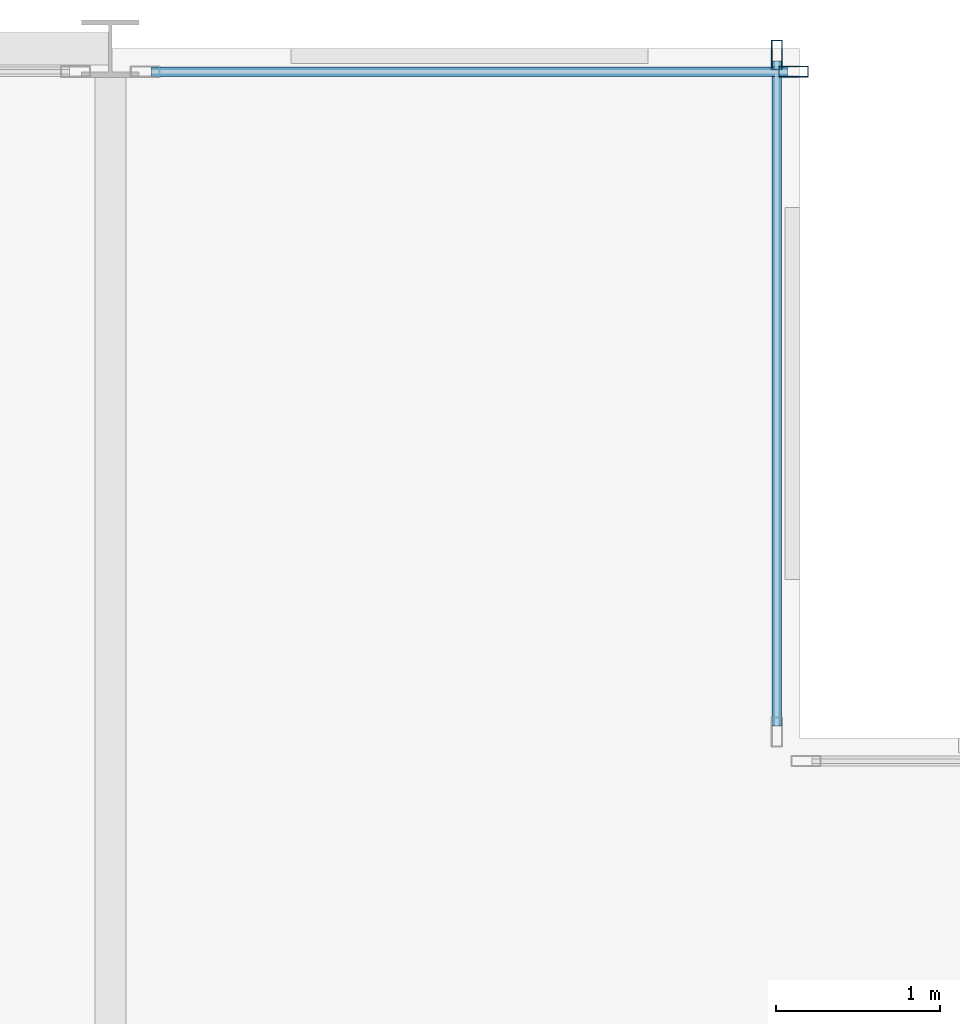
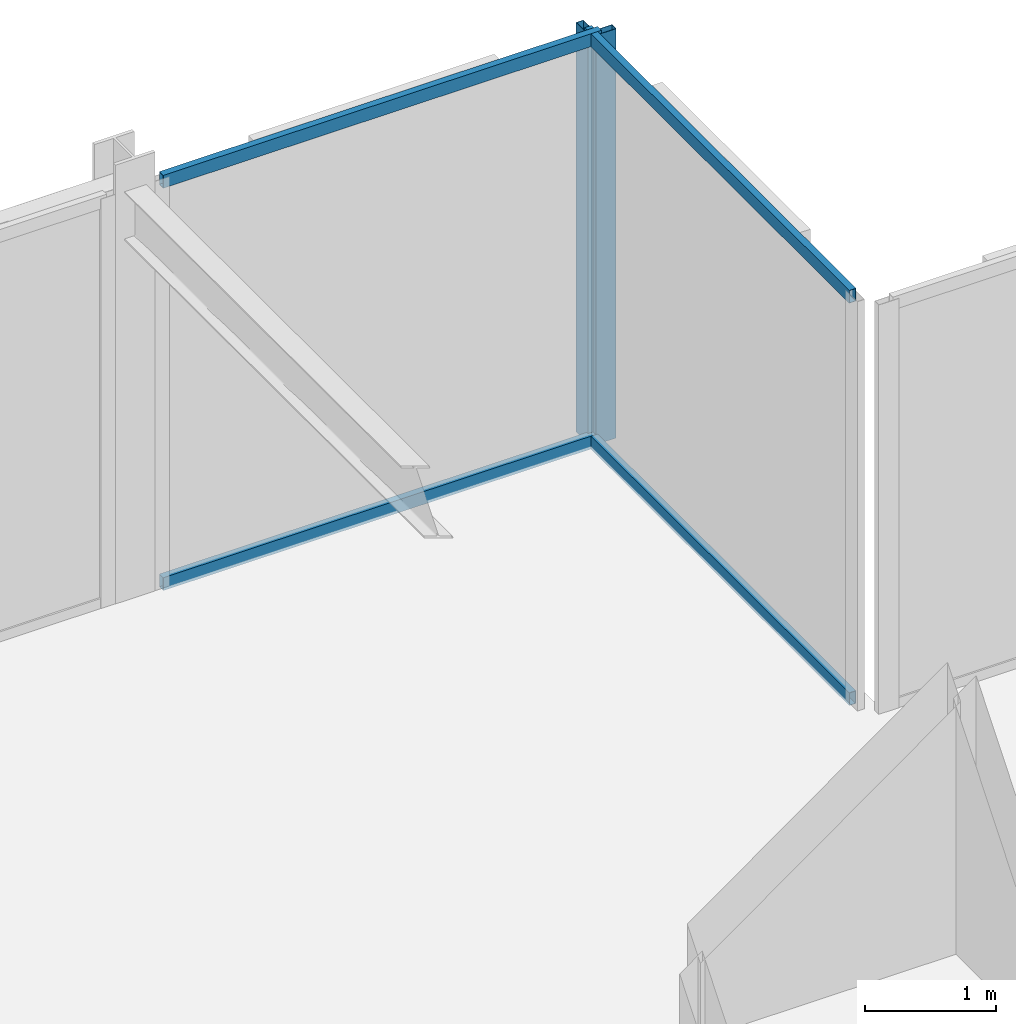
# One storey, part 21 of 29: 6 members, 2 elements without a shape of their own.
"""IFC4 building model written with IfcOpenShell, lengths in metres."""

from ifc_helpers import new_model, si_unit, direction, frame, origin, origin_2d, place, context, subcontext, project, spatial, hollow_rectangle, extrude, material, layer, layer_set, material_profile, profile_set, type_object, element, aggregate, save


model = new_model("IFC4")

# Units and contexts
model_context = context("Model", 3, precision=1e-05, world=origin(), true_north=direction((0.0, 1.0)))
body_context = subcontext(model_context, "Body", "Model", "MODEL_VIEW")
ifc_project = project(units=[si_unit("LENGTHUNIT", "METRE"), si_unit("AREAUNIT", "SQUARE_METRE"), si_unit("VOLUMEUNIT", "CUBIC_METRE"), si_unit("PLANEANGLEUNIT", "RADIAN"), si_unit("MASSUNIT", "GRAM", prefix="KILO")], contexts=[model_context])

# Site, building, storey
site_placement = place(None, origin())
site = spatial("IfcSite", under=ifc_project, at=site_placement, CompositionType="ELEMENT")
building_placement = place(site_placement, origin())
building = spatial("IfcBuilding", under=site, at=building_placement, Name="Nerrivon Quay Data Exchange", CompositionType="ELEMENT")
storey_placement = place(building_placement, frame((0.0, 0.0, 175.5)))
storey = spatial("IfcBuildingStorey", under=building, at=storey_placement, Name="L41", CompositionType="ELEMENT", Elevation=175.5)

# Curtain wall, member
ifc_material = material(Name="Anodised aluminium 6063-T6", Category="aluminium")
ifc_layer = layer(ifc_material, 0.195068359375)
ifc_layer_set = layer_set([ifc_layer], Name="Anodised aluminium 6063-T6")
curtain_wall_type = type_object("IfcCurtainWallType", Name="CW-SYS-06", PredefinedType="NOTDEFINED", material=ifc_layer_set)
curtain_wall_1_placement = place(storey_placement, origin())
curtain_wall_1 = element("IfcCurtainWall", 1, at=curtain_wall_1_placement, inside=storey, type_object=curtain_wall_type, Name="L41 Unitised Curtain Wall 10", PredefinedType="NOTDEFINED")
ifc_material_profile_1 = material_profile(ifc_material, hollow_rectangle(XDim=0.06494140625, YDim=0.179931640625, WallThickness=0.00341796875, at=origin_2d()), Name="ALU-MULL-180x65")
ifc_profile_set_1 = profile_set([ifc_material_profile_1], Name="Anodised aluminium 6063-T6")
member_type_1 = type_object("IfcMemberType", Name="CWM-180x65", PredefinedType="MULLION", material=ifc_profile_set_1)
member_1_placement = place(storey_placement, frame((20.96240234375, 50.260009765625, 0.0), z_axis=(0.0, 0.0, 1.0), x_axis=(0.0, 1.0, 0.0)))
member_1 = element("IfcMember", 2, at=member_1_placement, type_object=member_type_1, Name="CW06 mullion 2", PredefinedType="MULLION", context=body_context, shape_type="SweptSolid", body=[
    extrude(hollow_rectangle(XDim=0.06494140625, YDim=0.179931640625, WallThickness=0.00341796875, at=origin_2d()), origin(), (0.0, 0.0, 1.0), 3.824951171875),
])

curtain_wall_2_placement = place(storey_placement, origin())
curtain_wall_2 = element("IfcCurtainWall", 3, at=curtain_wall_2_placement, inside=storey, type_object=curtain_wall_type, Name="L41 Unitised Curtain Wall 11", PredefinedType="NOTDEFINED")
member_2_placement = place(storey_placement, frame((20.860107421875, 50.362548828125, 0.0), z_axis=(0.0, 0.0, 1.0), x_axis=(1.0, 0.0, 0.0)))
member_2 = element("IfcMember", 4, at=member_2_placement, type_object=member_type_1, Name="CW06 mullion 1", PredefinedType="MULLION", context=body_context, shape_type="SweptSolid", body=[
    extrude(hollow_rectangle(XDim=0.06494140625, YDim=0.179931640625, WallThickness=0.00341796875, at=origin_2d()), origin(), (0.0, 0.0, 1.0), 3.824951171875),
])

# Member
ifc_material_profile_2 = material_profile(ifc_material, hollow_rectangle(XDim=0.06005859375, YDim=0.1201171875, WallThickness=0.003173828125, at=origin_2d()), Name="ALU-TRAN-120x60")
ifc_profile_set_2 = profile_set([ifc_material_profile_2], Name="Anodised aluminium 6063-T6")
member_type_2 = type_object("IfcMemberType", Name="CWT-120x60", PredefinedType="USERDEFINED", material=ifc_profile_set_2)
member_3_placement = place(storey_placement, frame((17.050048828125, 50.260009765625, 0.032470703125), z_axis=(1.0, 0.0, 0.0), x_axis=(0.0, 1.0, 0.0)))
member_3 = element("IfcMember", 5, at=member_3_placement, type_object=member_type_2, Name="CW06 transom 1.1", ObjectType="TRANSOM", PredefinedType="USERDEFINED", context=body_context, shape_type="SweptSolid", body=[
    extrude(hollow_rectangle(XDim=0.06005859375, YDim=0.1201171875, WallThickness=0.003173828125, at=origin_2d()), origin(), (0.0, 0.0, 1.0), 3.875),
])

member_4_placement = place(storey_placement, frame((17.050048828125, 50.260009765625, 3.79248046875), z_axis=(1.0, 0.0, 0.0), x_axis=(0.0, 1.0, 0.0)))
member_4 = element("IfcMember", 6, at=member_4_placement, type_object=member_type_2, Name="CW06 transom 1.2", ObjectType="TRANSOM", PredefinedType="USERDEFINED", context=body_context, shape_type="SweptSolid", body=[
    extrude(hollow_rectangle(XDim=0.06005859375, YDim=0.1201171875, WallThickness=0.003173828125, at=origin_2d()), origin(), (0.0, 0.0, 1.0), 3.875),
])

aggregate(curtain_wall_1, [member_1, member_3, member_4])

member_5_placement = place(storey_placement, frame((20.860107421875, 50.324951171875, 0.032470703125), z_axis=(0.0, -1.0, 0.0), x_axis=(1.0, 0.0, 0.0)))
member_5 = element("IfcMember", 7, at=member_5_placement, type_object=member_type_2, Name="CW06 transom 1.1", ObjectType="TRANSOM", PredefinedType="USERDEFINED", context=body_context, shape_type="SweptSolid", body=[
    extrude(hollow_rectangle(XDim=0.06005859375, YDim=0.1201171875, WallThickness=0.003173828125, at=origin_2d()), origin(), (0.0, 0.0, 1.0), 4.050048828125),
])

member_6_placement = place(storey_placement, frame((20.860107421875, 50.324951171875, 3.79248046875), z_axis=(0.0, -1.0, 0.0), x_axis=(1.0, 0.0, 0.0)))
member_6 = element("IfcMember", 8, at=member_6_placement, type_object=member_type_2, Name="CW06 transom 1.2", ObjectType="TRANSOM", PredefinedType="USERDEFINED", context=body_context, shape_type="SweptSolid", body=[
    extrude(hollow_rectangle(XDim=0.06005859375, YDim=0.1201171875, WallThickness=0.003173828125, at=origin_2d()), origin(), (0.0, 0.0, 1.0), 4.050048828125),
])

aggregate(curtain_wall_2, [member_2, member_5, member_6])

save(model, "model.ifc")
